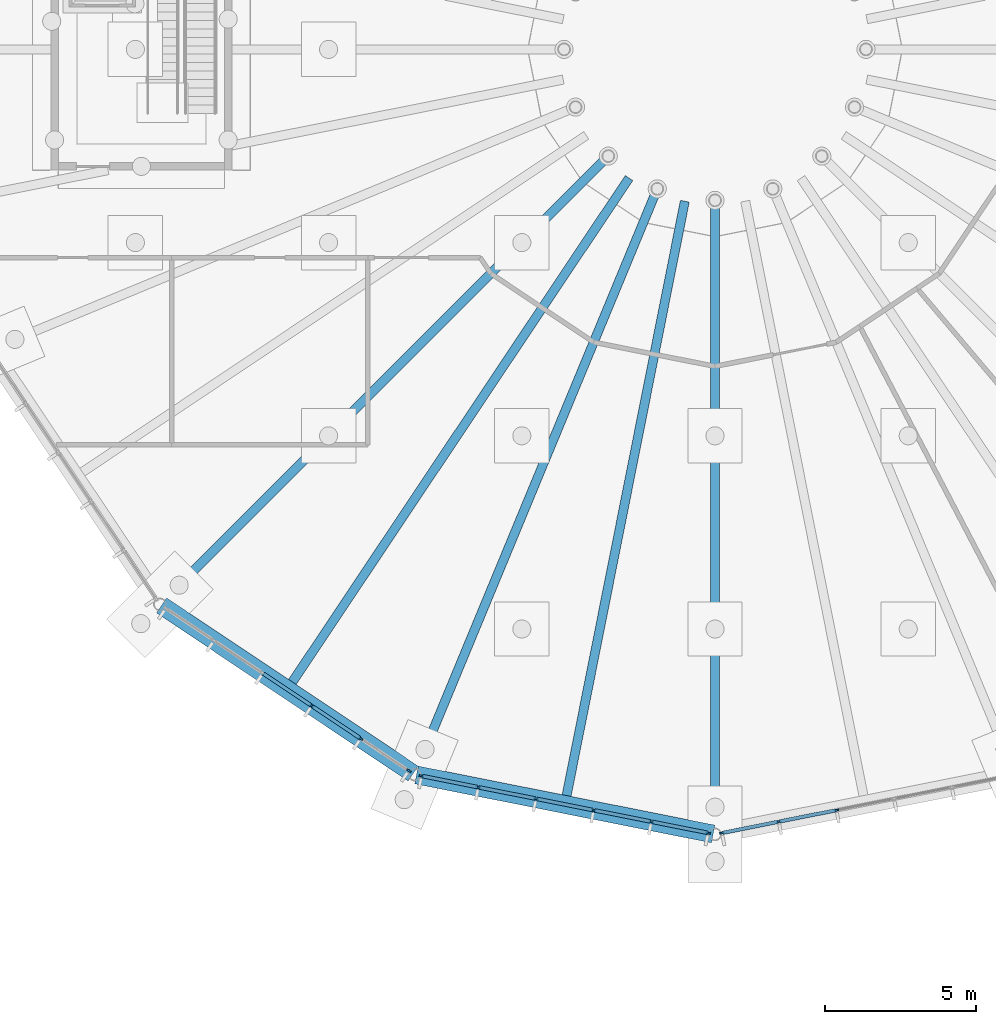
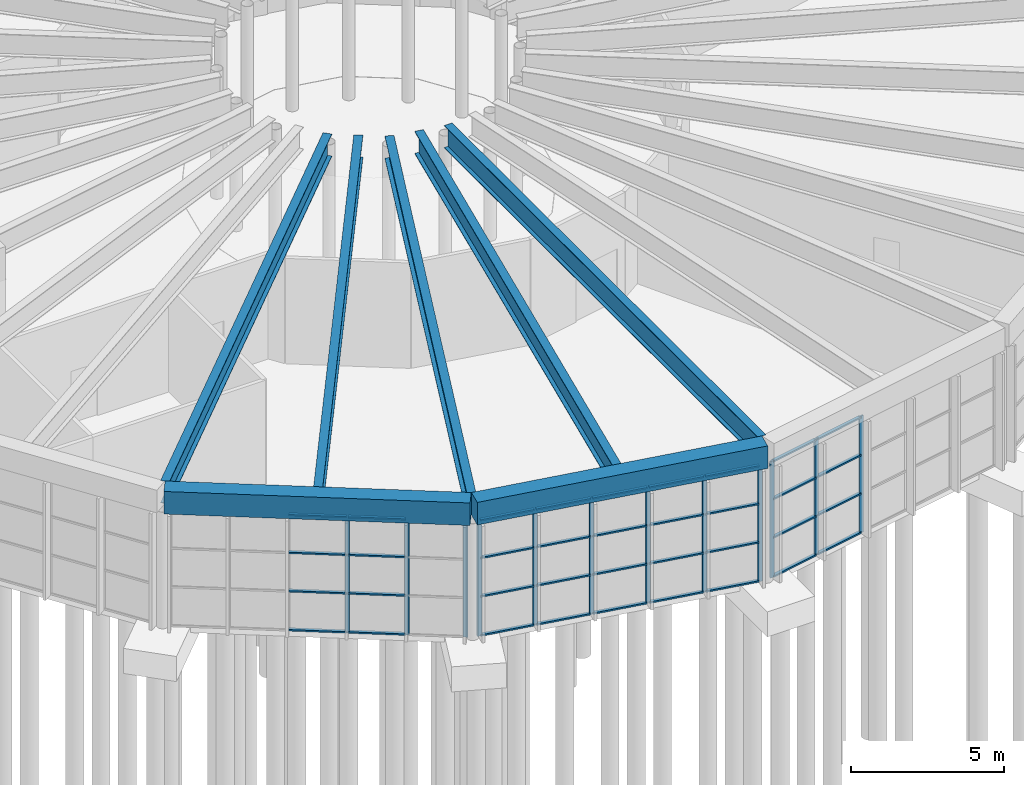
# One storey, part 89 of 226: 48 members, 7 beams, 3 elements without a shape of their own.
"""IFC4 building model written with IfcOpenShell, lengths in metres."""

from ifc_helpers import new_model, si_unit, direction, frame, origin, origin_2d, place, context, subcontext, project, spatial, rectangle, i_section, extrude, material, material_profile, profile_set, type_object, element, aggregate, save


model = new_model("IFC4")

# Units and contexts
model_context = context("Model", 3, precision=1e-05, world=origin(), true_north=direction((0.0, 1.0)))
body_context = subcontext(model_context, "Body", "Model", "MODEL_VIEW")
ifc_project = project(units=[si_unit("LENGTHUNIT", "METRE"), si_unit("AREAUNIT", "SQUARE_METRE"), si_unit("VOLUMEUNIT", "CUBIC_METRE"), si_unit("PLANEANGLEUNIT", "RADIAN"), si_unit("MASSUNIT", "GRAM", prefix="KILO")], contexts=[model_context])

# Site, building, storey
site_placement = place(None, origin())
site = spatial("IfcSite", under=ifc_project, at=site_placement, CompositionType="ELEMENT")
building_placement = place(site_placement, origin())
building = spatial("IfcBuilding", under=site, at=building_placement, Name="Ceibo Conservatory and Research Tower", CompositionType="ELEMENT")
storey_placement = place(building_placement, origin())
storey = spatial("IfcBuildingStorey", under=building, at=storey_placement, Name="L00", CompositionType="ELEMENT", Elevation=0.0)

# Curtain wall, members
ifc_material_1 = material(Name="Aluminium and glass", Category="aluminium")
curtain_wall_type = type_object("IfcCurtainWallType", Name="Pavilion curtain wall", PredefinedType="NOTDEFINED", material=ifc_material_1)
curtain_wall_1_placement = place(storey_placement, origin())
curtain_wall_1 = element("IfcCurtainWall", 1, at=curtain_wall_1_placement, inside=storey, type_object=curtain_wall_type, Name="Pavilion curtain wall VC-CW11", PredefinedType="NOTDEFINED")
ifc_material_2 = material(Name="Aluminium", Category="aluminium")
ifc_material_profile_1 = material_profile(ifc_material_2, rectangle(XDim=0.06005859375, YDim=0.159912109375, at=origin_2d()), Name="AL 60x160")
ifc_profile_set_1 = profile_set([ifc_material_profile_1], Name="Aluminium")
member_type_1 = type_object("IfcMemberType", Name="Pavilion mullion 60x160", PredefinedType="MULLION", material=ifc_profile_set_1)
member_1_placement = place(storey_placement, frame((154.642333984375, 14.256103515625, 0.0), z_axis=(0.0, 0.0, 1.0), x_axis=(0.555570267906, 0.831469588992, 0.0)))
member_1 = element("IfcMember", 2, at=member_1_placement, type_object=member_type_1, Name="VC-CW11 mullion 4", PredefinedType="MULLION", context=body_context, shape_type="SweptSolid", body=[
    extrude(rectangle(XDim=0.06005859375, YDim=0.159912109375, at=origin_2d()), origin(), (0.0, 0.0, 1.0), 4.64892578125),
])
member_2_placement = place(storey_placement, frame((156.261962890625, 13.174072265625, 0.0), z_axis=(0.0, 0.0, 1.0), x_axis=(0.555570267906, 0.831469588992, 0.0)))
member_2 = element("IfcMember", 3, at=member_2_placement, type_object=member_type_1, Name="VC-CW11 mullion 5", PredefinedType="MULLION", context=body_context, shape_type="SweptSolid", body=[
    extrude(rectangle(XDim=0.06005859375, YDim=0.159912109375, at=origin_2d()), origin(), (0.0, 0.0, 1.0), 4.64892578125),
])
member_3_placement = place(storey_placement, frame((157.8564453125, 12.108642578125, 0.0), z_axis=(0.0, 0.0, 1.0), x_axis=(0.555570267906, 0.831469588992, 0.0)))
member_3 = element("IfcMember", 4, at=member_3_placement, type_object=member_type_1, Name="VC-CW11 mullion 6", PredefinedType="MULLION", context=body_context, shape_type="SweptSolid", body=[
    extrude(rectangle(XDim=0.06005859375, YDim=0.159912109375, at=origin_2d()), origin(), (0.0, 0.0, 1.0), 4.64892578125),
])

curtain_wall_2_placement = place(storey_placement, origin())
curtain_wall_2 = element("IfcCurtainWall", 5, at=curtain_wall_2_placement, inside=storey, type_object=curtain_wall_type, Name="Pavilion curtain wall VC-CW12", PredefinedType="NOTDEFINED")
member_4_placement = place(storey_placement, frame((158.279052734375, 11.93359375, 0.0), z_axis=(0.0, 0.0, 1.0), x_axis=(0.195090311899, 0.980785282416, 0.0)))
member_4 = element("IfcMember", 6, at=member_4_placement, type_object=member_type_1, Name="VC-CW12 mullion 1", PredefinedType="MULLION", context=body_context, shape_type="SweptSolid", body=[
    extrude(rectangle(XDim=0.06005859375, YDim=0.159912109375, at=origin_2d()), origin(), (0.0, 0.0, 1.0), 4.64892578125),
])
member_5_placement = place(storey_placement, frame((160.15966796875, 11.5595703125, 0.0), z_axis=(0.0, 0.0, 1.0), x_axis=(0.195090311899, 0.980785282416, 0.0)))
member_5 = element("IfcMember", 7, at=member_5_placement, type_object=member_type_1, Name="VC-CW12 mullion 2", PredefinedType="MULLION", context=body_context, shape_type="SweptSolid", body=[
    extrude(rectangle(XDim=0.06005859375, YDim=0.159912109375, at=origin_2d()), origin(), (0.0, 0.0, 1.0), 4.64892578125),
])
member_6_placement = place(storey_placement, frame((162.070068359375, 11.179443359375, 0.0), z_axis=(0.0, 0.0, 1.0), x_axis=(0.195090311899, 0.980785282416, 0.0)))
member_6 = element("IfcMember", 8, at=member_6_placement, type_object=member_type_1, Name="VC-CW12 mullion 3", PredefinedType="MULLION", context=body_context, shape_type="SweptSolid", body=[
    extrude(rectangle(XDim=0.06005859375, YDim=0.159912109375, at=origin_2d()), origin(), (0.0, 0.0, 1.0), 4.64892578125),
])
member_7_placement = place(storey_placement, frame((163.980224609375, 10.799560546875, 0.0), z_axis=(0.0, 0.0, 1.0), x_axis=(0.195090311899, 0.980785282416, 0.0)))
member_7 = element("IfcMember", 9, at=member_7_placement, type_object=member_type_1, Name="VC-CW12 mullion 4", PredefinedType="MULLION", context=body_context, shape_type="SweptSolid", body=[
    extrude(rectangle(XDim=0.06005859375, YDim=0.159912109375, at=origin_2d()), origin(), (0.0, 0.0, 1.0), 4.64892578125),
])
member_8_placement = place(storey_placement, frame((165.890380859375, 10.419677734375, 0.0), z_axis=(0.0, 0.0, 1.0), x_axis=(0.195090311899, 0.980785282416, 0.0)))
member_8 = element("IfcMember", 10, at=member_8_placement, type_object=member_type_1, Name="VC-CW12 mullion 5", PredefinedType="MULLION", context=body_context, shape_type="SweptSolid", body=[
    extrude(rectangle(XDim=0.06005859375, YDim=0.159912109375, at=origin_2d()), origin(), (0.0, 0.0, 1.0), 4.64892578125),
])
member_9_placement = place(storey_placement, frame((167.771240234375, 10.04541015625, 0.0), z_axis=(0.0, 0.0, 1.0), x_axis=(0.195090311899, 0.980785282416, 0.0)))
member_9 = element("IfcMember", 11, at=member_9_placement, type_object=member_type_1, Name="VC-CW12 mullion 6", PredefinedType="MULLION", context=body_context, shape_type="SweptSolid", body=[
    extrude(rectangle(XDim=0.06005859375, YDim=0.159912109375, at=origin_2d()), origin(), (0.0, 0.0, 1.0), 4.64892578125),
])

curtain_wall_3_placement = place(storey_placement, origin())
curtain_wall_3 = element("IfcCurtainWall", 12, at=curtain_wall_3_placement, inside=storey, type_object=curtain_wall_type, Name="Pavilion curtain wall VC-CW13", PredefinedType="NOTDEFINED")
member_10_placement = place(storey_placement, frame((168.228759765625, 10.04541015625, 0.0), z_axis=(0.0, 0.0, 1.0), x_axis=(-0.195090311899, 0.980785282416, 0.0)))
member_10 = element("IfcMember", 13, at=member_10_placement, type_object=member_type_1, Name="VC-CW13 mullion 1", PredefinedType="MULLION", context=body_context, shape_type="SweptSolid", body=[
    extrude(rectangle(XDim=0.06005859375, YDim=0.159912109375, at=origin_2d()), origin(), (0.0, 0.0, 1.0), 4.64892578125),
])
member_11_placement = place(storey_placement, frame((170.109619140625, 10.419677734375, 0.0), z_axis=(0.0, 0.0, 1.0), x_axis=(-0.195090311899, 0.980785282416, 0.0)))
member_11 = element("IfcMember", 14, at=member_11_placement, type_object=member_type_1, Name="VC-CW13 mullion 2", PredefinedType="MULLION", context=body_context, shape_type="SweptSolid", body=[
    extrude(rectangle(XDim=0.06005859375, YDim=0.159912109375, at=origin_2d()), origin(), (0.0, 0.0, 1.0), 4.64892578125),
])
member_12_placement = place(storey_placement, frame((172.019775390625, 10.799560546875, 0.0), z_axis=(0.0, 0.0, 1.0), x_axis=(-0.195090311899, 0.980785282416, 0.0)))
member_12 = element("IfcMember", 15, at=member_12_placement, type_object=member_type_1, Name="VC-CW13 mullion 3", PredefinedType="MULLION", context=body_context, shape_type="SweptSolid", body=[
    extrude(rectangle(XDim=0.06005859375, YDim=0.159912109375, at=origin_2d()), origin(), (0.0, 0.0, 1.0), 4.64892578125),
])

# Member
ifc_material_profile_2 = material_profile(ifc_material_2, rectangle(XDim=0.1201171875, YDim=0.06005859375, at=origin_2d()), Name="AL 60x120")
ifc_profile_set_2 = profile_set([ifc_material_profile_2], Name="Aluminium")
member_type_2 = type_object("IfcMemberType", Name="Pavilion transom 60x120", PredefinedType="USERDEFINED", material=ifc_profile_set_2)
member_13_placement = place(storey_placement, frame((153.0478515625, 15.321533203125, 0.030029296875), z_axis=(0.831452911845, -0.555595226207, 0.0), x_axis=(0.555595226207, 0.831452911845, 0.0)))
member_13 = element("IfcMember", 16, at=member_13_placement, type_object=member_type_2, Name="VC-CW11 transom 3.1", ObjectType="TRANSOM", PredefinedType="USERDEFINED", context=body_context, shape_type="SweptSolid", body=[
    extrude(rectangle(XDim=0.1201171875, YDim=0.06005859375, at=origin_2d()), origin(), (0.0, 0.0, 1.0), 1.8876953125),
])

member_14_placement = place(storey_placement, frame((153.0478515625, 15.321533203125, 1.5810546875), z_axis=(0.831452911845, -0.555595226207, 0.0), x_axis=(0.555595226207, 0.831452911845, 0.0)))
member_14 = element("IfcMember", 17, at=member_14_placement, type_object=member_type_2, Name="VC-CW11 transom 3.2", ObjectType="TRANSOM", PredefinedType="USERDEFINED", context=body_context, shape_type="SweptSolid", body=[
    extrude(rectangle(XDim=0.1201171875, YDim=0.06005859375, at=origin_2d()), origin(), (0.0, 0.0, 1.0), 1.8876953125),
])

member_15_placement = place(storey_placement, frame((153.0478515625, 15.321533203125, 3.114990234375), z_axis=(0.831452911845, -0.555595226207, 0.0), x_axis=(0.555595226207, 0.831452911845, 0.0)))
member_15 = element("IfcMember", 18, at=member_15_placement, type_object=member_type_2, Name="VC-CW11 transom 3.3", ObjectType="TRANSOM", PredefinedType="USERDEFINED", context=body_context, shape_type="SweptSolid", body=[
    extrude(rectangle(XDim=0.1201171875, YDim=0.06005859375, at=origin_2d()), origin(), (0.0, 0.0, 1.0), 1.8876953125),
])

member_16_placement = place(storey_placement, frame((153.0478515625, 15.321533203125, 4.618896484375), z_axis=(0.831452911845, -0.555595226207, 0.0), x_axis=(0.555595226207, 0.831452911845, 0.0)))
member_16 = element("IfcMember", 19, at=member_16_placement, type_object=member_type_2, Name="VC-CW11 transom 3.4", ObjectType="TRANSOM", PredefinedType="USERDEFINED", context=body_context, shape_type="SweptSolid", body=[
    extrude(rectangle(XDim=0.1201171875, YDim=0.06005859375, at=origin_2d()), origin(), (0.0, 0.0, 1.0), 1.8876953125),
])

member_17_placement = place(storey_placement, frame((154.66748046875, 14.239501953125, 0.030029296875), z_axis=(0.831412983501, -0.555654974661, 0.0), x_axis=(0.555654974661, 0.831412983501, 0.0)))
member_17 = element("IfcMember", 20, at=member_17_placement, type_object=member_type_2, Name="VC-CW11 transom 4.1", ObjectType="TRANSOM", PredefinedType="USERDEFINED", context=body_context, shape_type="SweptSolid", body=[
    extrude(rectangle(XDim=0.1201171875, YDim=0.06005859375, at=origin_2d()), origin(), (0.0, 0.0, 1.0), 1.887451171875),
])

member_18_placement = place(storey_placement, frame((154.66748046875, 14.239501953125, 1.5810546875), z_axis=(0.831412983501, -0.555654974661, 0.0), x_axis=(0.555654974661, 0.831412983501, 0.0)))
member_18 = element("IfcMember", 21, at=member_18_placement, type_object=member_type_2, Name="VC-CW11 transom 4.2", ObjectType="TRANSOM", PredefinedType="USERDEFINED", context=body_context, shape_type="SweptSolid", body=[
    extrude(rectangle(XDim=0.1201171875, YDim=0.06005859375, at=origin_2d()), origin(), (0.0, 0.0, 1.0), 1.887451171875),
])

member_19_placement = place(storey_placement, frame((154.66748046875, 14.239501953125, 3.114990234375), z_axis=(0.831412983501, -0.555654974661, 0.0), x_axis=(0.555654974661, 0.831412983501, 0.0)))
member_19 = element("IfcMember", 22, at=member_19_placement, type_object=member_type_2, Name="VC-CW11 transom 4.3", ObjectType="TRANSOM", PredefinedType="USERDEFINED", context=body_context, shape_type="SweptSolid", body=[
    extrude(rectangle(XDim=0.1201171875, YDim=0.06005859375, at=origin_2d()), origin(), (0.0, 0.0, 1.0), 1.887451171875),
])

member_20_placement = place(storey_placement, frame((154.66748046875, 14.239501953125, 4.618896484375), z_axis=(0.831412983501, -0.555654974661, 0.0), x_axis=(0.555654974661, 0.831412983501, 0.0)))
member_20 = element("IfcMember", 23, at=member_20_placement, type_object=member_type_2, Name="VC-CW11 transom 4.4", ObjectType="TRANSOM", PredefinedType="USERDEFINED", context=body_context, shape_type="SweptSolid", body=[
    extrude(rectangle(XDim=0.1201171875, YDim=0.06005859375, at=origin_2d()), origin(), (0.0, 0.0, 1.0), 1.887451171875),
])

aggregate(curtain_wall_1, [member_1, member_2, member_3, member_13, member_14, member_15, member_16, member_17, member_18, member_19, member_20])

member_21_placement = place(storey_placement, frame((158.308349609375, 11.927734375, 0.030029296875), z_axis=(0.980797424149, -0.195029261348, 0.0), x_axis=(0.195029261348, 0.980797424149, 0.0)))
member_21 = element("IfcMember", 24, at=member_21_placement, type_object=member_type_2, Name="VC-CW12 transom 1.1", ObjectType="TRANSOM", PredefinedType="USERDEFINED", context=body_context, shape_type="SweptSolid", body=[
    extrude(rectangle(XDim=0.1201171875, YDim=0.06005859375, at=origin_2d()), origin(), (0.0, 0.0, 1.0), 1.857666015625),
])

member_22_placement = place(storey_placement, frame((158.308349609375, 11.927734375, 1.5810546875), z_axis=(0.980797424149, -0.195029261348, 0.0), x_axis=(0.195029261348, 0.980797424149, 0.0)))
member_22 = element("IfcMember", 25, at=member_22_placement, type_object=member_type_2, Name="VC-CW12 transom 1.2", ObjectType="TRANSOM", PredefinedType="USERDEFINED", context=body_context, shape_type="SweptSolid", body=[
    extrude(rectangle(XDim=0.1201171875, YDim=0.06005859375, at=origin_2d()), origin(), (0.0, 0.0, 1.0), 1.857666015625),
])

member_23_placement = place(storey_placement, frame((158.308349609375, 11.927734375, 3.114990234375), z_axis=(0.980797424149, -0.195029261348, 0.0), x_axis=(0.195029261348, 0.980797424149, 0.0)))
member_23 = element("IfcMember", 26, at=member_23_placement, type_object=member_type_2, Name="VC-CW12 transom 1.3", ObjectType="TRANSOM", PredefinedType="USERDEFINED", context=body_context, shape_type="SweptSolid", body=[
    extrude(rectangle(XDim=0.1201171875, YDim=0.06005859375, at=origin_2d()), origin(), (0.0, 0.0, 1.0), 1.857666015625),
])

member_24_placement = place(storey_placement, frame((158.308349609375, 11.927734375, 4.618896484375), z_axis=(0.980797424149, -0.195029261348, 0.0), x_axis=(0.195029261348, 0.980797424149, 0.0)))
member_24 = element("IfcMember", 27, at=member_24_placement, type_object=member_type_2, Name="VC-CW12 transom 1.4", ObjectType="TRANSOM", PredefinedType="USERDEFINED", context=body_context, shape_type="SweptSolid", body=[
    extrude(rectangle(XDim=0.1201171875, YDim=0.06005859375, at=origin_2d()), origin(), (0.0, 0.0, 1.0), 1.857666015625),
])

member_25_placement = place(storey_placement, frame((160.189208984375, 11.5537109375, 0.030029296875), z_axis=(0.980769252487, -0.195170882501, 0.0), x_axis=(0.195170882501, 0.980769252487, 0.0)))
member_25 = element("IfcMember", 28, at=member_25_placement, type_object=member_type_2, Name="VC-CW12 transom 2.1", ObjectType="TRANSOM", PredefinedType="USERDEFINED", context=body_context, shape_type="SweptSolid", body=[
    extrude(rectangle(XDim=0.1201171875, YDim=0.06005859375, at=origin_2d()), origin(), (0.0, 0.0, 1.0), 1.8876953125),
])

member_26_placement = place(storey_placement, frame((160.189208984375, 11.5537109375, 1.5810546875), z_axis=(0.980769252487, -0.195170882501, 0.0), x_axis=(0.195170882501, 0.980769252487, 0.0)))
member_26 = element("IfcMember", 29, at=member_26_placement, type_object=member_type_2, Name="VC-CW12 transom 2.2", ObjectType="TRANSOM", PredefinedType="USERDEFINED", context=body_context, shape_type="SweptSolid", body=[
    extrude(rectangle(XDim=0.1201171875, YDim=0.06005859375, at=origin_2d()), origin(), (0.0, 0.0, 1.0), 1.8876953125),
])

member_27_placement = place(storey_placement, frame((160.189208984375, 11.5537109375, 3.114990234375), z_axis=(0.980769252487, -0.195170882501, 0.0), x_axis=(0.195170882501, 0.980769252487, 0.0)))
member_27 = element("IfcMember", 30, at=member_27_placement, type_object=member_type_2, Name="VC-CW12 transom 2.3", ObjectType="TRANSOM", PredefinedType="USERDEFINED", context=body_context, shape_type="SweptSolid", body=[
    extrude(rectangle(XDim=0.1201171875, YDim=0.06005859375, at=origin_2d()), origin(), (0.0, 0.0, 1.0), 1.8876953125),
])

member_28_placement = place(storey_placement, frame((160.189208984375, 11.5537109375, 4.618896484375), z_axis=(0.980769252487, -0.195170882501, 0.0), x_axis=(0.195170882501, 0.980769252487, 0.0)))
member_28 = element("IfcMember", 31, at=member_28_placement, type_object=member_type_2, Name="VC-CW12 transom 2.4", ObjectType="TRANSOM", PredefinedType="USERDEFINED", context=body_context, shape_type="SweptSolid", body=[
    extrude(rectangle(XDim=0.1201171875, YDim=0.06005859375, at=origin_2d()), origin(), (0.0, 0.0, 1.0), 1.8876953125),
])

member_29_placement = place(storey_placement, frame((162.099365234375, 11.173583984375, 0.030029296875), z_axis=(0.980798922376, -0.195021726654, 0.0), x_axis=(0.195021726654, 0.980798922376, 0.0)))
member_29 = element("IfcMember", 32, at=member_29_placement, type_object=member_type_2, Name="VC-CW12 transom 3.1", ObjectType="TRANSOM", PredefinedType="USERDEFINED", context=body_context, shape_type="SweptSolid", body=[
    extrude(rectangle(XDim=0.1201171875, YDim=0.06005859375, at=origin_2d()), origin(), (0.0, 0.0, 1.0), 1.8876953125),
])

member_30_placement = place(storey_placement, frame((162.099365234375, 11.173583984375, 1.5810546875), z_axis=(0.980798922376, -0.195021726654, 0.0), x_axis=(0.195021726654, 0.980798922376, 0.0)))
member_30 = element("IfcMember", 33, at=member_30_placement, type_object=member_type_2, Name="VC-CW12 transom 3.2", ObjectType="TRANSOM", PredefinedType="USERDEFINED", context=body_context, shape_type="SweptSolid", body=[
    extrude(rectangle(XDim=0.1201171875, YDim=0.06005859375, at=origin_2d()), origin(), (0.0, 0.0, 1.0), 1.8876953125),
])

member_31_placement = place(storey_placement, frame((162.099365234375, 11.173583984375, 3.114990234375), z_axis=(0.980798922376, -0.195021726654, 0.0), x_axis=(0.195021726654, 0.980798922376, 0.0)))
member_31 = element("IfcMember", 34, at=member_31_placement, type_object=member_type_2, Name="VC-CW12 transom 3.3", ObjectType="TRANSOM", PredefinedType="USERDEFINED", context=body_context, shape_type="SweptSolid", body=[
    extrude(rectangle(XDim=0.1201171875, YDim=0.06005859375, at=origin_2d()), origin(), (0.0, 0.0, 1.0), 1.8876953125),
])

member_32_placement = place(storey_placement, frame((162.099365234375, 11.173583984375, 4.618896484375), z_axis=(0.980798922376, -0.195021726654, 0.0), x_axis=(0.195021726654, 0.980798922376, 0.0)))
member_32 = element("IfcMember", 35, at=member_32_placement, type_object=member_type_2, Name="VC-CW12 transom 3.4", ObjectType="TRANSOM", PredefinedType="USERDEFINED", context=body_context, shape_type="SweptSolid", body=[
    extrude(rectangle(XDim=0.1201171875, YDim=0.06005859375, at=origin_2d()), origin(), (0.0, 0.0, 1.0), 1.8876953125),
])

member_33_placement = place(storey_placement, frame((164.009765625, 10.793701171875, 0.030029296875), z_axis=(0.98079400277, -0.195046466593, 0.0), x_axis=(0.195046466593, 0.98079400277, 0.0)))
member_33 = element("IfcMember", 36, at=member_33_placement, type_object=member_type_2, Name="VC-CW12 transom 4.1", ObjectType="TRANSOM", PredefinedType="USERDEFINED", context=body_context, shape_type="SweptSolid", body=[
    extrude(rectangle(XDim=0.1201171875, YDim=0.06005859375, at=origin_2d()), origin(), (0.0, 0.0, 1.0), 1.887451171875),
])

member_34_placement = place(storey_placement, frame((164.009765625, 10.793701171875, 1.5810546875), z_axis=(0.98079400277, -0.195046466593, 0.0), x_axis=(0.195046466593, 0.98079400277, 0.0)))
member_34 = element("IfcMember", 37, at=member_34_placement, type_object=member_type_2, Name="VC-CW12 transom 4.2", ObjectType="TRANSOM", PredefinedType="USERDEFINED", context=body_context, shape_type="SweptSolid", body=[
    extrude(rectangle(XDim=0.1201171875, YDim=0.06005859375, at=origin_2d()), origin(), (0.0, 0.0, 1.0), 1.887451171875),
])

member_35_placement = place(storey_placement, frame((164.009765625, 10.793701171875, 3.114990234375), z_axis=(0.98079400277, -0.195046466593, 0.0), x_axis=(0.195046466593, 0.98079400277, 0.0)))
member_35 = element("IfcMember", 38, at=member_35_placement, type_object=member_type_2, Name="VC-CW12 transom 4.3", ObjectType="TRANSOM", PredefinedType="USERDEFINED", context=body_context, shape_type="SweptSolid", body=[
    extrude(rectangle(XDim=0.1201171875, YDim=0.06005859375, at=origin_2d()), origin(), (0.0, 0.0, 1.0), 1.887451171875),
])

member_36_placement = place(storey_placement, frame((164.009765625, 10.793701171875, 4.618896484375), z_axis=(0.98079400277, -0.195046466593, 0.0), x_axis=(0.195046466593, 0.98079400277, 0.0)))
member_36 = element("IfcMember", 39, at=member_36_placement, type_object=member_type_2, Name="VC-CW12 transom 4.4", ObjectType="TRANSOM", PredefinedType="USERDEFINED", context=body_context, shape_type="SweptSolid", body=[
    extrude(rectangle(XDim=0.1201171875, YDim=0.06005859375, at=origin_2d()), origin(), (0.0, 0.0, 1.0), 1.887451171875),
])

member_37_placement = place(storey_placement, frame((165.919921875, 10.413818359375, 0.030029296875), z_axis=(0.980772277822, -0.195155679025, 0.0), x_axis=(0.195155679025, 0.980772277822, 0.0)))
member_37 = element("IfcMember", 40, at=member_37_placement, type_object=member_type_2, Name="VC-CW12 transom 5.1", ObjectType="TRANSOM", PredefinedType="USERDEFINED", context=body_context, shape_type="SweptSolid", body=[
    extrude(rectangle(XDim=0.1201171875, YDim=0.06005859375, at=origin_2d()), origin(), (0.0, 0.0, 1.0), 1.857666015625),
])

member_38_placement = place(storey_placement, frame((165.919921875, 10.413818359375, 1.5810546875), z_axis=(0.980772277822, -0.195155679025, 0.0), x_axis=(0.195155679025, 0.980772277822, 0.0)))
member_38 = element("IfcMember", 41, at=member_38_placement, type_object=member_type_2, Name="VC-CW12 transom 5.2", ObjectType="TRANSOM", PredefinedType="USERDEFINED", context=body_context, shape_type="SweptSolid", body=[
    extrude(rectangle(XDim=0.1201171875, YDim=0.06005859375, at=origin_2d()), origin(), (0.0, 0.0, 1.0), 1.857666015625),
])

member_39_placement = place(storey_placement, frame((165.919921875, 10.413818359375, 3.114990234375), z_axis=(0.980772277822, -0.195155679025, 0.0), x_axis=(0.195155679025, 0.980772277822, 0.0)))
member_39 = element("IfcMember", 42, at=member_39_placement, type_object=member_type_2, Name="VC-CW12 transom 5.3", ObjectType="TRANSOM", PredefinedType="USERDEFINED", context=body_context, shape_type="SweptSolid", body=[
    extrude(rectangle(XDim=0.1201171875, YDim=0.06005859375, at=origin_2d()), origin(), (0.0, 0.0, 1.0), 1.857666015625),
])

member_40_placement = place(storey_placement, frame((165.919921875, 10.413818359375, 4.618896484375), z_axis=(0.980772277822, -0.195155679025, 0.0), x_axis=(0.195155679025, 0.980772277822, 0.0)))
member_40 = element("IfcMember", 43, at=member_40_placement, type_object=member_type_2, Name="VC-CW12 transom 5.4", ObjectType="TRANSOM", PredefinedType="USERDEFINED", context=body_context, shape_type="SweptSolid", body=[
    extrude(rectangle(XDim=0.1201171875, YDim=0.06005859375, at=origin_2d()), origin(), (0.0, 0.0, 1.0), 1.857666015625),
])

aggregate(curtain_wall_2, [member_4, member_5, member_6, member_7, member_8, member_9, member_21, member_22, member_23, member_24, member_25, member_26, member_27, member_28, member_29, member_30, member_31, member_32, member_33, member_34, member_35, member_36, member_37, member_38, member_39, member_40])

member_41_placement = place(storey_placement, frame((168.258056640625, 10.05126953125, 0.030029296875), z_axis=(0.980772277822, 0.195155679025, 0.0), x_axis=(-0.195155679025, 0.980772277822, 0.0)))
member_41 = element("IfcMember", 44, at=member_41_placement, type_object=member_type_2, Name="VC-CW13 transom 1.1", ObjectType="TRANSOM", PredefinedType="USERDEFINED", context=body_context, shape_type="SweptSolid", body=[
    extrude(rectangle(XDim=0.1201171875, YDim=0.06005859375, at=origin_2d()), origin(), (0.0, 0.0, 1.0), 1.857666015625),
])

member_42_placement = place(storey_placement, frame((168.258056640625, 10.05126953125, 1.5810546875), z_axis=(0.980772277822, 0.195155679025, 0.0), x_axis=(-0.195155679025, 0.980772277822, 0.0)))
member_42 = element("IfcMember", 45, at=member_42_placement, type_object=member_type_2, Name="VC-CW13 transom 1.2", ObjectType="TRANSOM", PredefinedType="USERDEFINED", context=body_context, shape_type="SweptSolid", body=[
    extrude(rectangle(XDim=0.1201171875, YDim=0.06005859375, at=origin_2d()), origin(), (0.0, 0.0, 1.0), 1.857666015625),
])

member_43_placement = place(storey_placement, frame((168.258056640625, 10.05126953125, 3.114990234375), z_axis=(0.980772277822, 0.195155679025, 0.0), x_axis=(-0.195155679025, 0.980772277822, 0.0)))
member_43 = element("IfcMember", 46, at=member_43_placement, type_object=member_type_2, Name="VC-CW13 transom 1.3", ObjectType="TRANSOM", PredefinedType="USERDEFINED", context=body_context, shape_type="SweptSolid", body=[
    extrude(rectangle(XDim=0.1201171875, YDim=0.06005859375, at=origin_2d()), origin(), (0.0, 0.0, 1.0), 1.857666015625),
])

member_44_placement = place(storey_placement, frame((168.258056640625, 10.05126953125, 4.618896484375), z_axis=(0.980772277822, 0.195155679025, 0.0), x_axis=(-0.195155679025, 0.980772277822, 0.0)))
member_44 = element("IfcMember", 47, at=member_44_placement, type_object=member_type_2, Name="VC-CW13 transom 1.4", ObjectType="TRANSOM", PredefinedType="USERDEFINED", context=body_context, shape_type="SweptSolid", body=[
    extrude(rectangle(XDim=0.1201171875, YDim=0.06005859375, at=origin_2d()), origin(), (0.0, 0.0, 1.0), 1.857666015625),
])

member_45_placement = place(storey_placement, frame((170.138916015625, 10.425537109375, 0.030029296875), z_axis=(0.98079400277, 0.195046466593, 0.0), x_axis=(-0.195046466593, 0.98079400277, 0.0)))
member_45 = element("IfcMember", 48, at=member_45_placement, type_object=member_type_2, Name="VC-CW13 transom 2.1", ObjectType="TRANSOM", PredefinedType="USERDEFINED", context=body_context, shape_type="SweptSolid", body=[
    extrude(rectangle(XDim=0.1201171875, YDim=0.06005859375, at=origin_2d()), origin(), (0.0, 0.0, 1.0), 1.887451171875),
])

member_46_placement = place(storey_placement, frame((170.138916015625, 10.425537109375, 1.5810546875), z_axis=(0.98079400277, 0.195046466593, 0.0), x_axis=(-0.195046466593, 0.98079400277, 0.0)))
member_46 = element("IfcMember", 49, at=member_46_placement, type_object=member_type_2, Name="VC-CW13 transom 2.2", ObjectType="TRANSOM", PredefinedType="USERDEFINED", context=body_context, shape_type="SweptSolid", body=[
    extrude(rectangle(XDim=0.1201171875, YDim=0.06005859375, at=origin_2d()), origin(), (0.0, 0.0, 1.0), 1.887451171875),
])

member_47_placement = place(storey_placement, frame((170.138916015625, 10.425537109375, 3.114990234375), z_axis=(0.98079400277, 0.195046466593, 0.0), x_axis=(-0.195046466593, 0.98079400277, 0.0)))
member_47 = element("IfcMember", 50, at=member_47_placement, type_object=member_type_2, Name="VC-CW13 transom 2.3", ObjectType="TRANSOM", PredefinedType="USERDEFINED", context=body_context, shape_type="SweptSolid", body=[
    extrude(rectangle(XDim=0.1201171875, YDim=0.06005859375, at=origin_2d()), origin(), (0.0, 0.0, 1.0), 1.887451171875),
])

member_48_placement = place(storey_placement, frame((170.138916015625, 10.425537109375, 4.618896484375), z_axis=(0.98079400277, 0.195046466593, 0.0), x_axis=(-0.195046466593, 0.98079400277, 0.0)))
member_48 = element("IfcMember", 51, at=member_48_placement, type_object=member_type_2, Name="VC-CW13 transom 2.4", ObjectType="TRANSOM", PredefinedType="USERDEFINED", context=body_context, shape_type="SweptSolid", body=[
    extrude(rectangle(XDim=0.1201171875, YDim=0.06005859375, at=origin_2d()), origin(), (0.0, 0.0, 1.0), 1.887451171875),
])

aggregate(curtain_wall_3, [member_10, member_11, member_12, member_41, member_42, member_43, member_44, member_45, member_46, member_47, member_48])

# Beams
ifc_material_3 = material(Name="Concrete C35/45", Category="concrete")
ifc_material_profile_3 = material_profile(ifc_material_3, rectangle(XDim=0.60009765625, YDim=0.89990234375, at=origin_2d()), Name="RC 600x900")
ifc_profile_set_3 = profile_set([ifc_material_profile_3], Name="Concrete C35/45")
beam_type_1 = type_object("IfcBeamType", Name="RC ring beam 600x900", PredefinedType="BEAM", material=ifc_profile_set_3)
beam_1_placement = place(storey_placement, frame((149.66650390625, 17.5810546875, 5.09912109375), z_axis=(0.831468902331, -0.555571295566, 0.0), x_axis=(0.555571295566, 0.831468902331, 0.0)))
element("IfcBeam", 52, at=beam_1_placement, inside=storey, type_object=beam_type_1, Name="Pavilion ring beam VC-RB11", PredefinedType="BEAM", context=body_context, shape_type="SweptSolid", body=[
    extrude(rectangle(XDim=0.60009765625, YDim=0.89990234375, at=origin_2d()), origin(), (0.0, 0.0, 1.0), 10.021484375),
])
beam_2_placement = place(storey_placement, frame((158.11083984375, 11.967041015625, 5.09912109375), z_axis=(0.980784413745, -0.195094678952, 0.0), x_axis=(0.195094678952, 0.980784413745, 0.0)))
element("IfcBeam", 53, at=beam_2_placement, inside=storey, type_object=beam_type_1, Name="Pavilion ring beam VC-RB12", PredefinedType="BEAM", context=body_context, shape_type="SweptSolid", body=[
    extrude(rectangle(XDim=0.60009765625, YDim=0.89990234375, at=origin_2d()), origin(), (0.0, 0.0, 1.0), 10.021240234375),
])
ifc_material_4 = material(Name="Steel S355J2", Category="steel")
ifc_material_profile_4 = material_profile(ifc_material_4, i_section(OverallWidth=0.300048828125, OverallDepth=0.89990234375, WebThickness=0.011962890625, FlangeThickness=0.02490234375, at=origin_2d()), Name="PG 900x300")
ifc_profile_set_4 = profile_set([ifc_material_profile_4], Name="Steel S355J2")
beam_type_2 = type_object("IfcBeamType", Name="pavilion radial roof beam PG 900x300", PredefinedType="BEAM", material=ifc_profile_set_4)
beam_3_placement = place(storey_placement, frame((164.32421875, 32.32421875, 5.09912109375), z_axis=(-0.707106781187, -0.707106781187, 0.0), x_axis=(0.707106781187, -0.707106781187, 0.0)))
element("IfcBeam", 54, at=beam_3_placement, inside=storey, type_object=beam_type_2, Name="Radial roof beam VC-RR21", PredefinedType="BEAM", context=body_context, shape_type="SweptSolid", body=[
    extrude(i_section(OverallWidth=0.300048828125, OverallDepth=0.89990234375, WebThickness=0.011962890625, FlangeThickness=0.02490234375, at=origin_2d()), origin(), (0.0, 0.0, 1.0), 20.5009765625),
])
beam_4_placement = place(storey_placement, frame((165.1513671875, 31.736572265625, 5.09912109375), z_axis=(-0.555575385494, -0.831466169506, 0.0), x_axis=(0.831466169506, -0.555575385494, 0.0)))
element("IfcBeam", 55, at=beam_4_placement, inside=storey, type_object=beam_type_2, Name="Radial roof beam VC-RR22", PredefinedType="BEAM", context=body_context, shape_type="SweptSolid", body=[
    extrude(i_section(OverallWidth=0.300048828125, OverallDepth=0.89990234375, WebThickness=0.011962890625, FlangeThickness=0.02490234375, at=origin_2d()), origin(), (0.0, 0.0, 1.0), 20.077880859375),
])
beam_5_placement = place(storey_placement, frame((166.0107421875, 31.197509765625, 5.09912109375), z_axis=(-0.38268660204, -0.923878219582, 0.0), x_axis=(0.923878219582, -0.38268660204, 0.0)))
element("IfcBeam", 56, at=beam_5_placement, inside=storey, type_object=beam_type_2, Name="Radial roof beam VC-RR23", PredefinedType="BEAM", context=body_context, shape_type="SweptSolid", body=[
    extrude(i_section(OverallWidth=0.300048828125, OverallDepth=0.89990234375, WebThickness=0.011962890625, FlangeThickness=0.02490234375, at=origin_2d()), origin(), (0.0, 0.0, 1.0), 20.5009765625),
])
beam_6_placement = place(storey_placement, frame((166.999755859375, 30.970947265625, 5.09912109375), z_axis=(-0.195089472351, -0.980785449412, 0.0), x_axis=(0.980785449412, -0.195089472351, 0.0)))
element("IfcBeam", 57, at=beam_6_placement, inside=storey, type_object=beam_type_2, Name="Radial roof beam VC-RR24", PredefinedType="BEAM", context=body_context, shape_type="SweptSolid", body=[
    extrude(i_section(OverallWidth=0.300048828125, OverallDepth=0.89990234375, WebThickness=0.011962890625, FlangeThickness=0.02490234375, at=origin_2d()), origin(), (0.0, 0.0, 1.0), 20.077880859375),
])
beam_7_placement = place(storey_placement, frame((168.0, 30.8017578125, 5.09912109375), z_axis=(0.0, -1.0, 0.0), x_axis=(1.0, 0.0, 0.0)))
element("IfcBeam", 58, at=beam_7_placement, inside=storey, type_object=beam_type_2, Name="Radial roof beam VC-RR25", PredefinedType="BEAM", context=body_context, shape_type="SweptSolid", body=[
    extrude(i_section(OverallWidth=0.300048828125, OverallDepth=0.89990234375, WebThickness=0.011962890625, FlangeThickness=0.02490234375, at=origin_2d()), origin(), (0.0, 0.0, 1.0), 20.5009765625),
])

save(model, "model.ifc")
